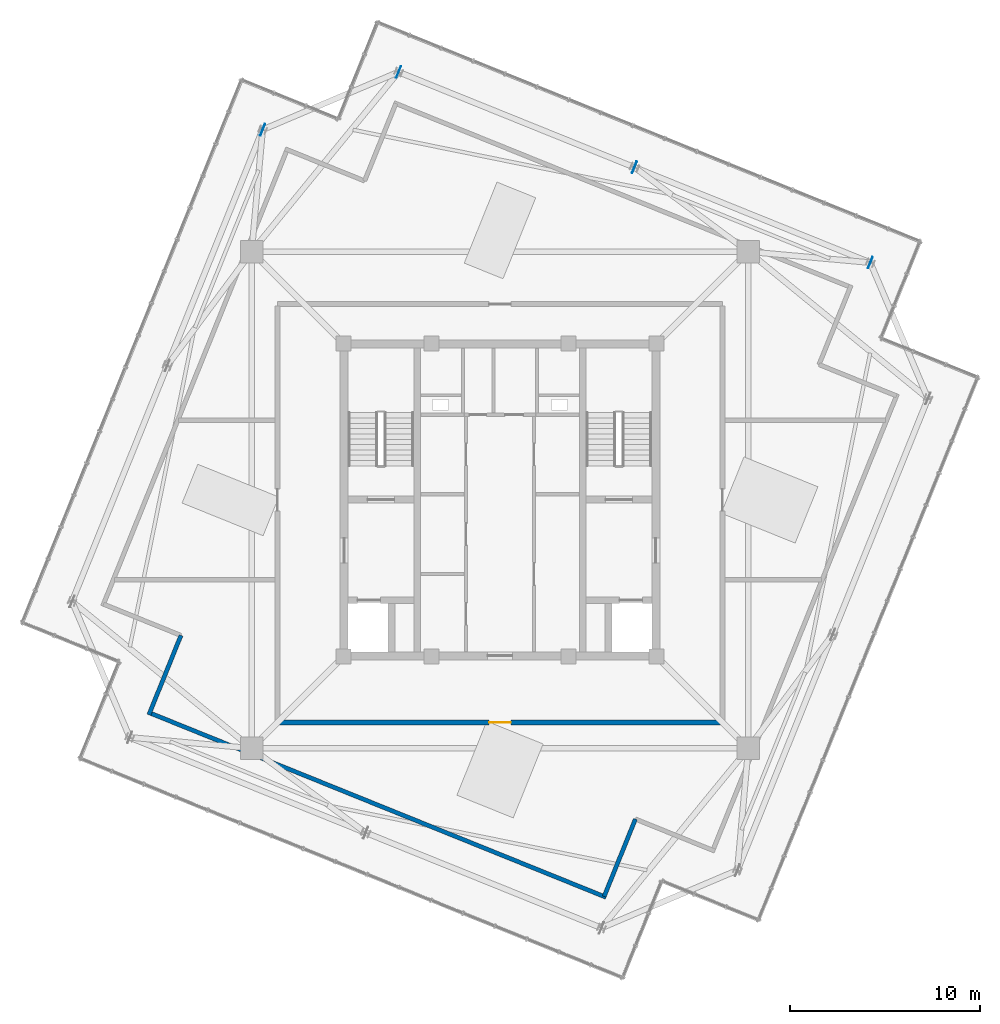
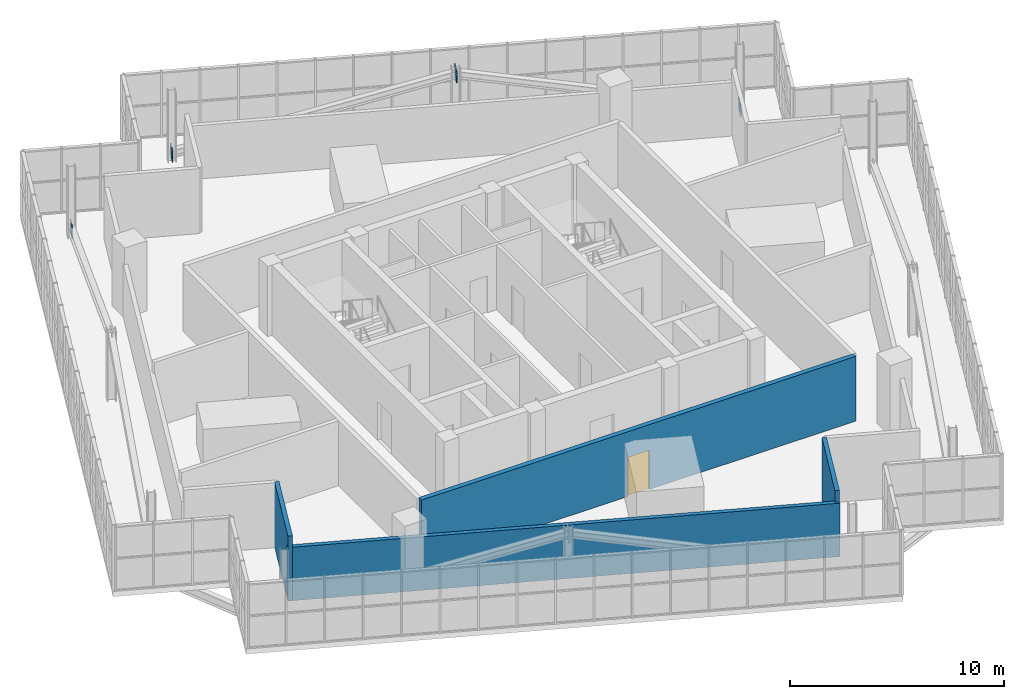
# One storey, part 22 of 26: 4 plates, 4 walls, 1 door, 1 opening.
"""IFC4 building model written with IfcOpenShell, lengths in metres."""

from ifc_helpers import new_model, si_unit, direction, frame, frame_2d, origin, origin_2d, place, context, subcontext, project, spatial, rectangle, extrude, source, transform, mapped, material, layer, layer_set, type_object, element, fill, save


model = new_model("IFC4")

# Units and contexts
model_context = context("Model", 3, precision=1e-05, world=origin(), true_north=direction((0.0, 1.0)))
body_context = subcontext(model_context, "Body", "Model", "MODEL_VIEW")
ifc_project = project(units=[si_unit("LENGTHUNIT", "METRE"), si_unit("AREAUNIT", "SQUARE_METRE"), si_unit("VOLUMEUNIT", "CUBIC_METRE"), si_unit("PLANEANGLEUNIT", "RADIAN"), si_unit("MASSUNIT", "GRAM", prefix="KILO"), si_unit("THERMODYNAMICTEMPERATUREUNIT", "KELVIN")], contexts=[model_context])

# Site, building, storey
site_placement = place(None, origin())
site = spatial("IfcSite", under=ifc_project, at=site_placement, CompositionType="ELEMENT")
building_placement = place(site_placement, origin())
building = spatial("IfcBuilding", under=site, at=building_placement, Name="Kosmvard Interchange Tower", CompositionType="ELEMENT")
storey_placement = place(building_placement, frame((0.0, 0.0, 337.60009765625)))
storey = spatial("IfcBuildingStorey", under=building, at=storey_placement, Name="L83", CompositionType="ELEMENT", Elevation=337.60009765625)

# Plates
ifc_material_1 = material(Name="Steel S355", Category="steel")
ifc_layer_1 = layer(ifc_material_1, 0.0380859375, Name="Steel S355")
ifc_layer_set_1 = layer_set([ifc_layer_1], Name="Steel S355")
plate_type = type_object("IfcPlateType", Name="Lantern Base & Chord End Cap Stiffener 750x750x38 S355", PredefinedType="USERDEFINED", material=ifc_layer_set_1)
shared_shape_1 = source(origin(), body_context, "Body", "SweptSolid", [
    extrude(rectangle(XDim=0.64990234375, YDim=0.0380859375, at=origin_2d()), origin(), (0.0, 0.0, 1.0), 0.64990234375),
])
for number, where, z_axis, x_axis, name in (
    (1, (19.50439453125, 12.504150390625, 0.094970703125), (0.0, 0.0, 1.0), (0.374606593416, 0.927183854567, 0.0), "L83 Crown Diagrid Node Gusset Plate LAE"),
    (2, (-5.34423828125, 22.54345703125, 0.094970703125), (0.0, 0.0, 1.0), (0.374606593416, 0.927183854567, 0.0), "L83 Crown Diagrid Node Gusset Plate LBE"),
    (3, (7.080078125, 17.523681640625, 3.324951171875), (0.0, 0.0, 1.0), (0.374606593416, 0.927183854567, 0.0), "L83 Crown Diagrid Node Gusset Plate LME"),
    (4, (-12.504150390625, 19.50439453125, 0.094970703125), (0.0, 0.0, 1.0), (0.374606593416, 0.927183854567, 0.0), "L83 Crown Diagrid Node Gusset Plate LAN"),
):
    element("IfcPlate", number, at=place(storey_placement, frame(where, z_axis=z_axis, x_axis=x_axis)), inside=storey, type_object=plate_type, Name=name, ObjectType="STIFFENER_PLATE", PredefinedType="USERDEFINED", context=body_context, shape_type="MappedRepresentation", body=[
        mapped(shared_shape_1, transform((0.0, 0.0, 0.0), scale=1.0)),
    ])

# Wall, opening, door
ifc_material_2 = material(Name="Concrete blockwork masonry", Category="masonry")
ifc_layer_2 = layer(ifc_material_2, 0.25, Name="Concrete blockwork masonry")
ifc_layer_set_2 = layer_set([ifc_layer_2], Name="Concrete blockwork masonry")
wall_type_1 = type_object("IfcWallType", Name="Exit Passage & Firefighting Lobby Wall 250", PredefinedType="PARTITIONING", material=ifc_layer_set_2)
wall_1_placement = place(storey_placement, frame((-11.719970703125, -11.719970703125, 0.0), z_axis=(0.0, 0.0, 1.0), x_axis=(1.0, 0.0, 0.0)))
wall_1 = element("IfcWall", 5, at=wall_1_placement, inside=storey, type_object=wall_type_1, Name="L83 Corridor Wall CS", PredefinedType="PARTITIONING", context=body_context, shape_type="SweptSolid", body=[
    extrude(rectangle(XDim=23.43994140625, YDim=0.25, at=frame_2d((11.719970703125, 0.0))), origin(), (0.0, 0.0, 1.0), 3.699951171875),
])
opening_placement = place(wall_1_placement, frame((11.14501953125, 0.0, 0.0)))
opening = element("IfcOpeningElement", 6, at=opening_placement, cuts=wall_1, Name="Opening L83-D03", PredefinedType="OPENING", context=body_context, shape_type="SweptSolid", body=[
    extrude(rectangle(XDim=1.14990234375, YDim=2.25, at=frame_2d((0.574951171875, 1.125))), frame((0.0, 0.135009765625, 0.0), z_axis=(0.0, -1.0, 0.0), x_axis=(1.0, 0.0, 0.0)), (0.0, 0.0, 1.0), 0.27001953125),
])
ifc_material_3 = material(Name="Painted fire-rated steel leaf", Category="steel")
door_type = type_object("IfcDoorType", Name="Plant & Riser Fire Door 1150x2250 EI60", OperationType="NOTDEFINED", PredefinedType="DOOR", material=ifc_material_3)
shared_shape_2 = source(origin(), body_context, "Body", "SweptSolid", [
    extrude(rectangle(XDim=1.14990234375, YDim=2.25, at=frame_2d((0.574951171875, 1.125))), frame((0.0, 0.02490234375, 0.0), z_axis=(0.0, -1.0, 0.0), x_axis=(1.0, 0.0, 0.0)), (0.0, 0.0, 1.0), 0.050048828125),
])
door_placement = place(opening_placement, frame((1.14990234375, 0.0, 0.0), z_axis=(0.0, 0.0, 1.0), x_axis=(-1.0, 0.0, 0.0)))
door = element("IfcDoor", 7, at=door_placement, inside=storey, type_object=door_type, Name="L83 Smoke Make-Up Fan Plant Room Door", OperationType="SINGLE_SWING_LEFT", OverallHeight=2.25, OverallWidth=1.14990234375, PredefinedType="DOOR", context=body_context, shape_type="MappedRepresentation", body=[
    mapped(shared_shape_2, transform((0.0, 0.0, 0.0), scale=1.0)),
])
fill(opening, door)

# Walls
ifc_layer_3 = layer(ifc_material_2, 0.219970703125, Name="Concrete blockwork masonry")
ifc_layer_set_3 = layer_set([ifc_layer_3], Name="Concrete blockwork masonry")
wall_type_2 = type_object("IfcWallType", Name="Riser & Plant Enclosure Wall 220", PredefinedType="PARTITIONING", material=ifc_layer_set_3)
wall_2_placement = place(storey_placement, frame((-16.80615234375, -7.1337890625, 0.0), z_axis=(0.0, 0.0, 1.0), x_axis=(-0.374599091925, -0.927186885331, 0.0)))
element("IfcWall", 8, at=wall_2_placement, inside=storey, type_object=wall_type_2, Name="L83 Crown Plant Enclosure Wall NW2", PredefinedType="PARTITIONING", context=body_context, shape_type="SweptSolid", body=[
    extrude(rectangle(XDim=4.510009765625, YDim=0.219970703125, at=frame_2d((2.2548828125, 0.0))), origin(), (0.0, 0.0, 1.0), 3.699951171875),
])
wall_3_placement = place(storey_placement, frame((-18.556396484375, -11.172119140625, 0.0), z_axis=(0.0, 0.0, 1.0), x_axis=(0.927181788521, -0.374611707018, 0.0)))
element("IfcWall", 9, at=wall_3_placement, inside=storey, type_object=wall_type_2, Name="L83 Crown Plant Enclosure Wall W", PredefinedType="PARTITIONING", context=body_context, shape_type="SweptSolid", body=[
    extrude(rectangle(XDim=26.0400390625, YDim=0.219970703125, at=frame_2d((13.02001953125, 0.0))), origin(), (0.0, 0.0, 1.0), 3.0498046875),
])
wall_4_placement = place(storey_placement, frame((5.485595703125, -20.8857421875, 0.0), z_axis=(0.0, 0.0, 1.0), x_axis=(0.374593321469, 0.927189216671, 0.0)))
element("IfcWall", 10, at=wall_4_placement, inside=storey, type_object=wall_type_2, Name="L83 Crown Plant Enclosure Wall SW1", PredefinedType="PARTITIONING", context=body_context, shape_type="SweptSolid", body=[
    extrude(rectangle(XDim=4.39990234375, YDim=0.219970703125, at=frame_2d((2.199951171875, 0.0))), origin(), (0.0, 0.0, 1.0), 3.699951171875),
])

save(model, "model.ifc")
